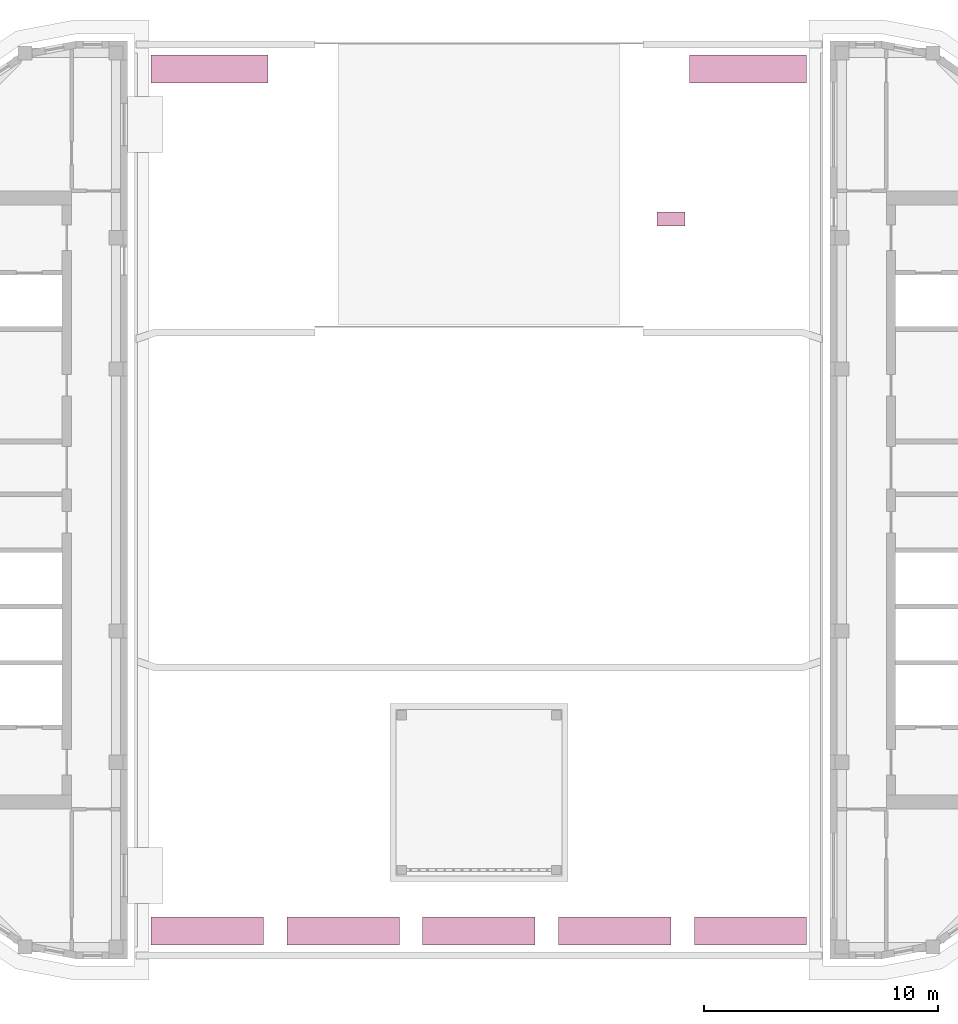
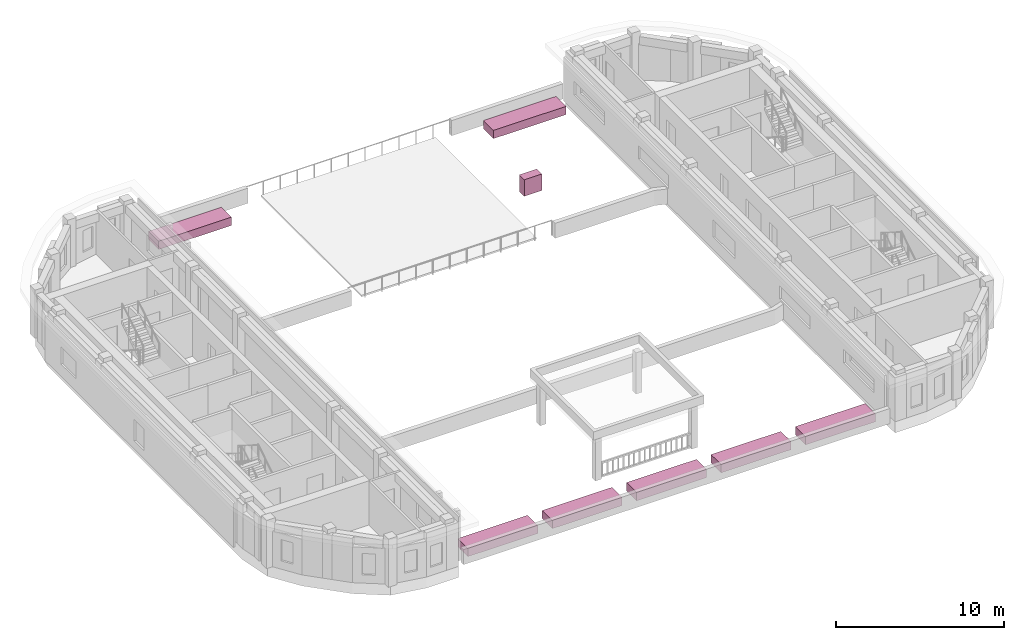
# One storey, part 14 of 14: 8 furnishings.
"""IFC4 building model written with IfcOpenShell, lengths in metres."""

from ifc_helpers import new_model, si_unit, direction, frame, origin, origin_2d, place, context, subcontext, project, spatial, rectangle, extrude, material, type_object, element, save


model = new_model("IFC4")

# Units and contexts
model_context = context("Model", 3, precision=1e-05, world=origin(), true_north=direction((0.0, 1.0)))
body_context = subcontext(model_context, "Body", "Model", "MODEL_VIEW")
ifc_project = project(units=[si_unit("LENGTHUNIT", "METRE"), si_unit("AREAUNIT", "SQUARE_METRE"), si_unit("VOLUMEUNIT", "CUBIC_METRE"), si_unit("PLANEANGLEUNIT", "RADIAN"), si_unit("MASSUNIT", "GRAM", prefix="KILO")], contexts=[model_context])

# Site, building, storey
site_placement = place(None, origin())
site = spatial("IfcSite", under=ifc_project, at=site_placement, CompositionType="ELEMENT")
building_placement = place(site_placement, origin())
building = spatial("IfcBuilding", under=site, at=building_placement, Name="Kiln Ring Residences", CompositionType="ELEMENT")
storey_placement = place(building_placement, frame((0.0, 0.0, 299.89990234375)))
storey = spatial("IfcBuildingStorey", under=building, at=storey_placement, Name="L77 Crown", CompositionType="ELEMENT", Elevation=299.89990234375)

# Furnishings
ifc_material_1 = material(Name="Red powder-coated steel", Category="steel")
furnishing_element_type_1 = type_object("IfcFurnishingElementType", Name="HELIPAD FIRE POINT", material=ifc_material_1)
furnishing_placement = place(storey_placement, frame((8.199951171875, 12.0, 0.0), z_axis=(0.0, 0.0, 1.0), x_axis=(1.0, 0.0, 0.0)))
element("IfcFurnishingElement", 1, at=furnishing_placement, inside=storey, type_object=furnishing_element_type_1, Name="Helipad fire point and hydrant", ObjectType="FIRE POINT", context=body_context, shape_type="SweptSolid", body=[
    extrude(rectangle(XDim=1.199951171875, YDim=0.60009765625, at=origin_2d()), origin(), (0.0, 0.0, 1.0), 1.199951171875),
])
ifc_material_2 = material(Name="Brick masonry, dark clay brick", Category="masonry")
furnishing_element_type_2 = type_object("IfcFurnishingElementType", Name="PLANTER 1200 x 600", material=ifc_material_2)
for number, where, z_axis, x_axis, name in (
    (2, (-11.5, 18.39990234375, 0.0), (0.0, 0.0, 1.0), (1.0, 0.0, 0.0), "PLANTER L77 Crown 1"),
    (3, (11.5, 18.39990234375, 0.0), (0.0, 0.0, 1.0), (1.0, 0.0, 0.0), "PLANTER L77 Crown 1"),
):
    element("IfcFurnishingElement", number, at=place(storey_placement, frame(where, z_axis=z_axis, x_axis=x_axis)), inside=storey, type_object=furnishing_element_type_2, Name=name, ObjectType="PLANTER", context=body_context, shape_type="SweptSolid", body=[
        extrude(rectangle(XDim=5.0, YDim=1.199951171875, at=origin_2d()), origin(), (0.0, 0.0, 1.0), 0.60009765625),
    ])
for number, where, z_axis, x_axis, name in (
    (4, (-11.60009765625, -18.39990234375, 0.0), (0.0, 0.0, 1.0), (1.0, 0.0, 0.0), "PLANTER L77 Crown 1"),
    (5, (-5.800048828125, -18.39990234375, 0.0), (0.0, 0.0, 1.0), (1.0, 0.0, 0.0), "PLANTER L77 Crown 2"),
    (6, (0.0, -18.39990234375, 0.0), (0.0, 0.0, 1.0), (1.0, 0.0, 0.0), "PLANTER L77 Crown 3"),
    (7, (5.800048828125, -18.39990234375, 0.0), (0.0, 0.0, 1.0), (1.0, 0.0, 0.0), "PLANTER L77 Crown 4"),
    (8, (11.60009765625, -18.39990234375, 0.0), (0.0, 0.0, 1.0), (1.0, 0.0, 0.0), "PLANTER L77 Crown 5"),
):
    element("IfcFurnishingElement", number, at=place(storey_placement, frame(where, z_axis=z_axis, x_axis=x_axis)), inside=storey, type_object=furnishing_element_type_2, Name=name, ObjectType="PLANTER", context=body_context, shape_type="SweptSolid", body=[
        extrude(rectangle(XDim=4.800048828125, YDim=1.199951171875, at=origin_2d()), origin(), (0.0, 0.0, 1.0), 0.60009765625),
    ])

save(model, "model.ifc")
